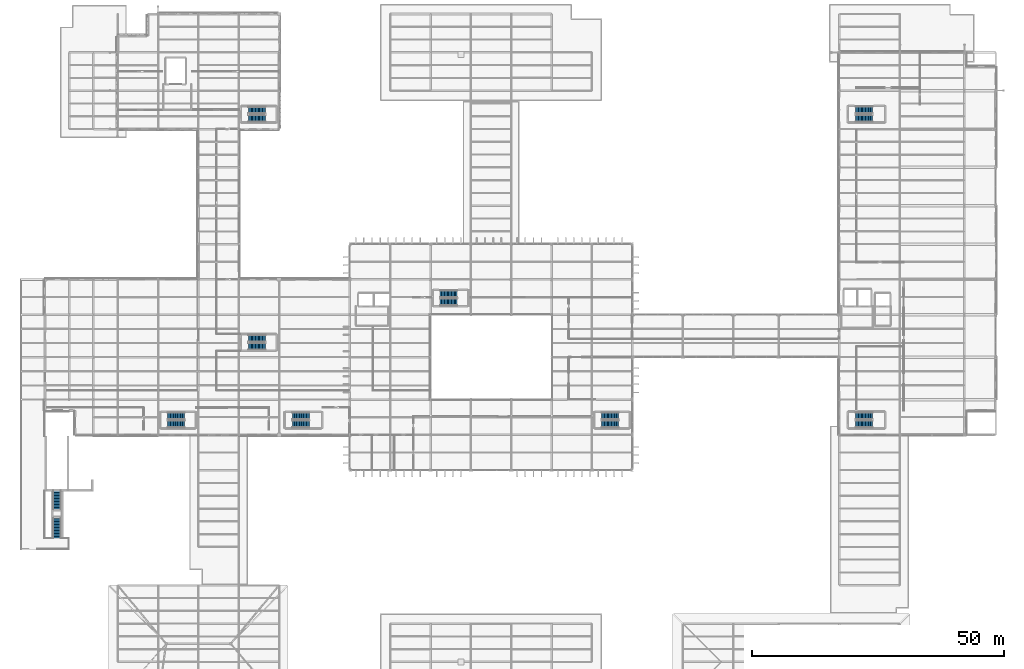
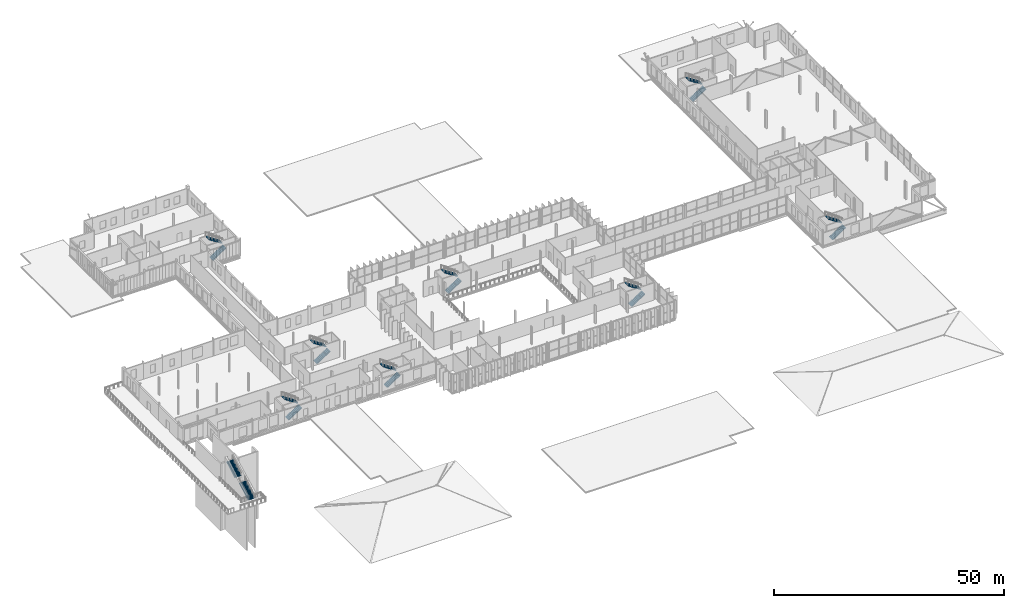
# One storey, part 105 of 120: 18 stair flights, 9 elements without a shape of their own.
"""IFC4 building model written with IfcOpenShell, lengths in metres."""

from ifc_helpers import new_model, si_unit, direction, frame, origin, place, context, subcontext, project, spatial, polyline, outline, extrude, material, type_object, element, aggregate, save


model = new_model("IFC4")

# Units and contexts
model_context = context("Model", 3, precision=1e-05, world=origin(), true_north=direction((0.0, 1.0)))
body_context = subcontext(model_context, "Body", "Model", "MODEL_VIEW")
ifc_project = project(units=[si_unit("LENGTHUNIT", "METRE"), si_unit("AREAUNIT", "SQUARE_METRE"), si_unit("VOLUMEUNIT", "CUBIC_METRE"), si_unit("PLANEANGLEUNIT", "RADIAN"), si_unit("MASSUNIT", "GRAM", prefix="KILO")], contexts=[model_context])

# Site, building, storey
site_placement = place(None, origin())
site = spatial("IfcSite", under=ifc_project, at=site_placement, CompositionType="ELEMENT")
building_placement = place(site_placement, origin())
building = spatial("IfcBuilding", under=site, at=building_placement, Name="Vekula Escarpment Museum", CompositionType="ELEMENT")
storey_placement = place(building_placement, frame((0.0, 0.0, 13.199951171875)))
storey = spatial("IfcBuildingStorey", under=building, at=storey_placement, Name="L03", CompositionType="ELEMENT", Elevation=13.199951171875)

# Stair, stair flights
ifc_material_1 = material(Name="Precast concrete C40/50", Category="concrete")
stair_type_1 = type_object("IfcStairType", Name="STR-AMP-165", PredefinedType="STRAIGHT_RUN_STAIR", material=ifc_material_1)
stair_1_placement = place(storey_placement, origin())
stair_1 = element("IfcStair", 1, at=stair_1_placement, inside=storey, type_object=stair_type_1, Name="South Escarpment Plinth Stair Tier 3 ST-AMP-S3", PredefinedType="STRAIGHT_RUN_STAIR")
ifc_material_2 = material(Name="Precast concrete C40/50", Category="concrete")
stair_flight_type_1 = type_object("IfcStairFlightType", Name="FLT-AMP-165", PredefinedType="STRAIGHT", material=ifc_material_2)
stair_flight_1_placement = place(storey_placement, frame((12.0, 32.14990234375, 0.0), z_axis=(0.0, 0.0, 1.0), x_axis=(0.0, 1.0, 0.0)))
stair_flight_1 = element("IfcStairFlight", 2, at=stair_flight_1_placement, type_object=stair_flight_type_1, Name="ST-AMP-S3 flight 1", NumberOfRisers=14, NumberOfTreads=13, PredefinedType="STRAIGHT", RiserHeight=0.177778, TreadLength=0.3, context=body_context, shape_type="SweptSolid", body=[
    extrude(outline(polyline([(0.0, 0.0), (0.0, 0.177734375), (0.300048828125, 0.177734375), (0.300048828125, 0.35546875), (0.60009765625, 0.35546875), (0.60009765625, 0.533447265625), (0.89990234375, 0.533447265625), (0.89990234375, 0.711181640625), (1.199951171875, 0.711181640625), (1.199951171875, 0.888916015625), (1.5, 0.888916015625), (1.5, 1.066650390625), (1.800048828125, 1.066650390625), (1.800048828125, 1.244384765625), (2.10009765625, 1.244384765625), (2.10009765625, 1.422119140625), (2.39990234375, 1.422119140625), (2.39990234375, 1.60009765625), (2.699951171875, 1.60009765625), (2.699951171875, 1.77783203125), (3.0, 1.77783203125), (3.0, 1.95556640625), (3.300048828125, 1.95556640625), (3.300048828125, 2.13330078125), (3.60009765625, 2.13330078125), (3.60009765625, 2.31103515625), (3.89990234375, 2.31103515625), (3.89990234375, 2.489013671875), (3.89990234375, 2.10205078125), (0.35302734375, 0.0), (0.0, 0.0)])), frame((0.0, 0.824951171875, 0.0), z_axis=(0.0, -1.0, 0.0), x_axis=(1.0, 0.0, 0.0)), (0.0, 0.0, 1.0), 1.64990234375),
])
stair_flight_2_placement = place(storey_placement, frame((12.0, 37.89990234375, 2.489013671875), z_axis=(0.0, 0.0, 1.0), x_axis=(0.0, 1.0, 0.0)))
stair_flight_2 = element("IfcStairFlight", 3, at=stair_flight_2_placement, type_object=stair_flight_type_1, Name="ST-AMP-S3 flight 2", NumberOfRisers=13, NumberOfTreads=12, PredefinedType="STRAIGHT", RiserHeight=0.177778, TreadLength=0.3, context=body_context, shape_type="SweptSolid", body=[
    extrude(outline(polyline([(0.0, 0.0), (0.0, 0.177734375), (0.300048828125, 0.177734375), (0.300048828125, 0.35546875), (0.60009765625, 0.35546875), (0.60009765625, 0.533447265625), (0.89990234375, 0.533447265625), (0.89990234375, 0.711181640625), (1.199951171875, 0.711181640625), (1.199951171875, 0.888916015625), (1.5, 0.888916015625), (1.5, 1.066650390625), (1.800048828125, 1.066650390625), (1.800048828125, 1.244384765625), (2.10009765625, 1.244384765625), (2.10009765625, 1.422119140625), (2.39990234375, 1.422119140625), (2.39990234375, 1.60009765625), (2.699951171875, 1.60009765625), (2.699951171875, 1.77783203125), (3.0, 1.77783203125), (3.0, 1.95556640625), (3.300048828125, 1.95556640625), (3.300048828125, 2.13330078125), (3.60009765625, 2.13330078125), (3.60009765625, 2.31103515625), (3.60009765625, 1.924072265625), (0.35302734375, 0.0), (0.0, 0.0)])), frame((0.0, 0.824951171875, 0.0), z_axis=(0.0, -1.0, 0.0), x_axis=(1.0, 0.0, 0.0)), (0.0, 0.0, 1.0), 1.64990234375),
])
aggregate(stair_1, [stair_flight_1, stair_flight_2])

ifc_material_3 = material(Name="Concrete C35/45", Category="concrete")
stair_type_2 = type_object("IfcStairType", Name="STR-TYPE-142", PredefinedType="HALF_TURN_STAIR", material=ifc_material_3)
stair_2_placement = place(storey_placement, origin())
stair_2 = element("IfcStair", 4, at=stair_2_placement, inside=storey, type_object=stair_type_2, Name="L03 Central West Exit Stair ST-01", PredefinedType="HALF_TURN_STAIR")
ifc_material_4 = material(Name="Concrete C35/45", Category="concrete")
stair_flight_type_2 = type_object("IfcStairFlightType", Name="FLT-TYPE-142", PredefinedType="STRAIGHT", material=ifc_material_4)
stair_flight_3_placement = place(storey_placement, frame((58.6201171875, 54.7099609375, 0.0), z_axis=(0.0, 0.0, 1.0), x_axis=(1.0, 0.0, 0.0)))
stair_flight_3 = element("IfcStairFlight", 5, at=stair_flight_3_placement, type_object=stair_flight_type_2, Name="ST-01 flight 1", NumberOfRisers=13, NumberOfTreads=12, PredefinedType="STRAIGHT", RiserHeight=0.184615385, TreadLength=0.28, context=body_context, shape_type="SweptSolid", body=[
    extrude(outline(polyline([(0.0, 0.0), (0.0, 0.1845703125), (0.280029296875, 0.1845703125), (0.280029296875, 0.369140625), (0.56005859375, 0.369140625), (0.56005859375, 0.553955078125), (0.840087890625, 0.553955078125), (0.840087890625, 0.738525390625), (1.1201171875, 0.738525390625), (1.1201171875, 0.923095703125), (1.39990234375, 0.923095703125), (1.39990234375, 1.107666015625), (1.679931640625, 1.107666015625), (1.679931640625, 1.292236328125), (1.9599609375, 1.292236328125), (1.9599609375, 1.476806640625), (2.239990234375, 1.476806640625), (2.239990234375, 1.66162109375), (2.52001953125, 1.66162109375), (2.52001953125, 1.84619140625), (2.800048828125, 1.84619140625), (2.800048828125, 2.03076171875), (3.080078125, 2.03076171875), (3.080078125, 2.21533203125), (3.360107421875, 2.21533203125), (3.360107421875, 2.39990234375), (3.360107421875, 2.035888671875), (0.272216796875, 0.0), (0.0, 0.0)])), frame((0.0, 0.7099609375, 0.0), z_axis=(0.0, -1.0, 0.0), x_axis=(1.0, 0.0, 0.0)), (0.0, 0.0, 1.0), 1.419921875),
])
stair_flight_4_placement = place(storey_placement, frame((61.97998046875, 56.330078125, 2.400146484375), z_axis=(0.0, 0.0, 1.0), x_axis=(-1.0, 0.0, 0.0)))
stair_flight_4 = element("IfcStairFlight", 6, at=stair_flight_4_placement, type_object=stair_flight_type_2, Name="ST-01 flight 2", NumberOfRisers=13, NumberOfTreads=12, PredefinedType="STRAIGHT", RiserHeight=0.184615385, TreadLength=0.28, context=body_context, shape_type="SweptSolid", body=[
    extrude(outline(polyline([(0.0, 0.0), (0.0, 0.1845703125), (0.280029296875, 0.1845703125), (0.280029296875, 0.369140625), (0.56005859375, 0.369140625), (0.56005859375, 0.553955078125), (0.840087890625, 0.553955078125), (0.840087890625, 0.738525390625), (1.1201171875, 0.738525390625), (1.1201171875, 0.923095703125), (1.39990234375, 0.923095703125), (1.39990234375, 1.107666015625), (1.679931640625, 1.107666015625), (1.679931640625, 1.292236328125), (1.9599609375, 1.292236328125), (1.9599609375, 1.476806640625), (2.239990234375, 1.476806640625), (2.239990234375, 1.66162109375), (2.52001953125, 1.66162109375), (2.52001953125, 1.84619140625), (2.800048828125, 1.84619140625), (2.800048828125, 2.03076171875), (3.080078125, 2.03076171875), (3.080078125, 2.21533203125), (3.360107421875, 2.21533203125), (3.360107421875, 2.39990234375), (3.360107421875, 2.035888671875), (0.272216796875, 0.0), (0.0, 0.0)])), frame((0.0, 0.7099609375, 0.0), z_axis=(0.0, -1.0, 0.0), x_axis=(1.0, 0.0, 0.0)), (0.0, 0.0, 1.0), 1.419921875),
])
aggregate(stair_2, [stair_flight_3, stair_flight_4])

stair_3_placement = place(storey_placement, origin())
stair_3 = element("IfcStair", 7, at=stair_3_placement, inside=storey, type_object=stair_type_2, Name="L03 Archive and Lab Exit Stair ST-03", PredefinedType="HALF_TURN_STAIR")
stair_flight_5_placement = place(storey_placement, frame((49.919921875, 115.31005859375, 0.0), z_axis=(0.0, 0.0, 1.0), x_axis=(1.0, 0.0, 0.0)))
stair_flight_5 = element("IfcStairFlight", 8, at=stair_flight_5_placement, type_object=stair_flight_type_2, Name="ST-03 flight 1", NumberOfRisers=13, NumberOfTreads=12, PredefinedType="STRAIGHT", RiserHeight=0.184615385, TreadLength=0.28, context=body_context, shape_type="SweptSolid", body=[
    extrude(outline(polyline([(0.0, 0.0), (0.0, 0.1845703125), (0.280029296875, 0.1845703125), (0.280029296875, 0.369140625), (0.56005859375, 0.369140625), (0.56005859375, 0.553955078125), (0.840087890625, 0.553955078125), (0.840087890625, 0.738525390625), (1.1201171875, 0.738525390625), (1.1201171875, 0.923095703125), (1.39990234375, 0.923095703125), (1.39990234375, 1.107666015625), (1.679931640625, 1.107666015625), (1.679931640625, 1.292236328125), (1.9599609375, 1.292236328125), (1.9599609375, 1.476806640625), (2.239990234375, 1.476806640625), (2.239990234375, 1.66162109375), (2.52001953125, 1.66162109375), (2.52001953125, 1.84619140625), (2.800048828125, 1.84619140625), (2.800048828125, 2.03076171875), (3.080078125, 2.03076171875), (3.080078125, 2.21533203125), (3.360107421875, 2.21533203125), (3.360107421875, 2.39990234375), (3.360107421875, 2.035888671875), (0.272216796875, 0.0), (0.0, 0.0)])), frame((0.0, 0.7099609375, 0.0), z_axis=(0.0, -1.0, 0.0), x_axis=(1.0, 0.0, 0.0)), (0.0, 0.0, 1.0), 1.419921875),
])
stair_flight_6_placement = place(storey_placement, frame((53.280029296875, 116.929931640625, 2.400146484375), z_axis=(0.0, 0.0, 1.0), x_axis=(-1.0, 0.0, 0.0)))
stair_flight_6 = element("IfcStairFlight", 9, at=stair_flight_6_placement, type_object=stair_flight_type_2, Name="ST-03 flight 2", NumberOfRisers=13, NumberOfTreads=12, PredefinedType="STRAIGHT", RiserHeight=0.184615385, TreadLength=0.28, context=body_context, shape_type="SweptSolid", body=[
    extrude(outline(polyline([(0.0, 0.0), (0.0, 0.1845703125), (0.280029296875, 0.1845703125), (0.280029296875, 0.369140625), (0.56005859375, 0.369140625), (0.56005859375, 0.553955078125), (0.840087890625, 0.553955078125), (0.840087890625, 0.738525390625), (1.1201171875, 0.738525390625), (1.1201171875, 0.923095703125), (1.39990234375, 0.923095703125), (1.39990234375, 1.107666015625), (1.679931640625, 1.107666015625), (1.679931640625, 1.292236328125), (1.9599609375, 1.292236328125), (1.9599609375, 1.476806640625), (2.239990234375, 1.476806640625), (2.239990234375, 1.66162109375), (2.52001953125, 1.66162109375), (2.52001953125, 1.84619140625), (2.800048828125, 1.84619140625), (2.800048828125, 2.03076171875), (3.080078125, 2.03076171875), (3.080078125, 2.21533203125), (3.360107421875, 2.21533203125), (3.360107421875, 2.39990234375), (3.360107421875, 2.035888671875), (0.272216796875, 0.0), (0.0, 0.0)])), frame((0.0, 0.7099609375, 0.0), z_axis=(0.0, -1.0, 0.0), x_axis=(1.0, 0.0, 0.0)), (0.0, 0.0, 1.0), 1.419921875),
])
aggregate(stair_3, [stair_flight_5, stair_flight_6])

stair_4_placement = place(storey_placement, origin())
stair_4 = element("IfcStair", 10, at=stair_4_placement, inside=storey, type_object=stair_type_2, Name="L03 Plinth West Exit Stair ST-04", PredefinedType="HALF_TURN_STAIR")
stair_flight_7_placement = place(storey_placement, frame((33.919921875, 54.7099609375, 0.0), z_axis=(0.0, 0.0, 1.0), x_axis=(1.0, 0.0, 0.0)))
stair_flight_7 = element("IfcStairFlight", 11, at=stair_flight_7_placement, type_object=stair_flight_type_2, Name="ST-04 flight 1", NumberOfRisers=13, NumberOfTreads=12, PredefinedType="STRAIGHT", RiserHeight=0.184615385, TreadLength=0.28, context=body_context, shape_type="SweptSolid", body=[
    extrude(outline(polyline([(0.0, 0.0), (0.0, 0.1845703125), (0.280029296875, 0.1845703125), (0.280029296875, 0.369140625), (0.56005859375, 0.369140625), (0.56005859375, 0.553955078125), (0.840087890625, 0.553955078125), (0.840087890625, 0.738525390625), (1.1201171875, 0.738525390625), (1.1201171875, 0.923095703125), (1.39990234375, 0.923095703125), (1.39990234375, 1.107666015625), (1.679931640625, 1.107666015625), (1.679931640625, 1.292236328125), (1.9599609375, 1.292236328125), (1.9599609375, 1.476806640625), (2.239990234375, 1.476806640625), (2.239990234375, 1.66162109375), (2.52001953125, 1.66162109375), (2.52001953125, 1.84619140625), (2.800048828125, 1.84619140625), (2.800048828125, 2.03076171875), (3.080078125, 2.03076171875), (3.080078125, 2.21533203125), (3.360107421875, 2.21533203125), (3.360107421875, 2.39990234375), (3.360107421875, 2.035888671875), (0.272216796875, 0.0), (0.0, 0.0)])), frame((0.0, 0.7099609375, 0.0), z_axis=(0.0, -1.0, 0.0), x_axis=(1.0, 0.0, 0.0)), (0.0, 0.0, 1.0), 1.419921875),
])
stair_flight_8_placement = place(storey_placement, frame((37.280029296875, 56.330078125, 2.400146484375), z_axis=(0.0, 0.0, 1.0), x_axis=(-1.0, 0.0, 0.0)))
stair_flight_8 = element("IfcStairFlight", 12, at=stair_flight_8_placement, type_object=stair_flight_type_2, Name="ST-04 flight 2", NumberOfRisers=13, NumberOfTreads=12, PredefinedType="STRAIGHT", RiserHeight=0.184615385, TreadLength=0.28, context=body_context, shape_type="SweptSolid", body=[
    extrude(outline(polyline([(0.0, 0.0), (0.0, 0.1845703125), (0.280029296875, 0.1845703125), (0.280029296875, 0.369140625), (0.56005859375, 0.369140625), (0.56005859375, 0.553955078125), (0.840087890625, 0.553955078125), (0.840087890625, 0.738525390625), (1.1201171875, 0.738525390625), (1.1201171875, 0.923095703125), (1.39990234375, 0.923095703125), (1.39990234375, 1.107666015625), (1.679931640625, 1.107666015625), (1.679931640625, 1.292236328125), (1.9599609375, 1.292236328125), (1.9599609375, 1.476806640625), (2.239990234375, 1.476806640625), (2.239990234375, 1.66162109375), (2.52001953125, 1.66162109375), (2.52001953125, 1.84619140625), (2.800048828125, 1.84619140625), (2.800048828125, 2.03076171875), (3.080078125, 2.03076171875), (3.080078125, 2.21533203125), (3.360107421875, 2.21533203125), (3.360107421875, 2.39990234375), (3.360107421875, 2.035888671875), (0.272216796875, 0.0), (0.0, 0.0)])), frame((0.0, 0.7099609375, 0.0), z_axis=(0.0, -1.0, 0.0), x_axis=(1.0, 0.0, 0.0)), (0.0, 0.0, 1.0), 1.419921875),
])
aggregate(stair_4, [stair_flight_7, stair_flight_8])

stair_5_placement = place(storey_placement, origin())
stair_5 = element("IfcStair", 13, at=stair_5_placement, inside=storey, type_object=stair_type_2, Name="L03 Great Hall East Exit Stair ST-08", PredefinedType="HALF_TURN_STAIR")
stair_flight_9_placement = place(storey_placement, frame((119.919921875, 54.7099609375, 0.0), z_axis=(0.0, 0.0, 1.0), x_axis=(1.0, 0.0, 0.0)))
stair_flight_9 = element("IfcStairFlight", 14, at=stair_flight_9_placement, type_object=stair_flight_type_2, Name="ST-08 flight 1", NumberOfRisers=13, NumberOfTreads=12, PredefinedType="STRAIGHT", RiserHeight=0.184615385, TreadLength=0.28, context=body_context, shape_type="SweptSolid", body=[
    extrude(outline(polyline([(0.0, 0.0), (0.0, 0.1845703125), (0.280029296875, 0.1845703125), (0.280029296875, 0.369140625), (0.56005859375, 0.369140625), (0.56005859375, 0.553955078125), (0.840087890625, 0.553955078125), (0.840087890625, 0.738525390625), (1.1201171875, 0.738525390625), (1.1201171875, 0.923095703125), (1.39990234375, 0.923095703125), (1.39990234375, 1.107666015625), (1.679931640625, 1.107666015625), (1.679931640625, 1.292236328125), (1.9599609375, 1.292236328125), (1.9599609375, 1.476806640625), (2.239990234375, 1.476806640625), (2.239990234375, 1.66162109375), (2.52001953125, 1.66162109375), (2.52001953125, 1.84619140625), (2.800048828125, 1.84619140625), (2.800048828125, 2.03076171875), (3.080078125, 2.03076171875), (3.080078125, 2.21533203125), (3.360107421875, 2.21533203125), (3.360107421875, 2.39990234375), (3.360107421875, 2.035888671875), (0.272216796875, 0.0), (0.0, 0.0)])), frame((0.0, 0.7099609375, 0.0), z_axis=(0.0, -1.0, 0.0), x_axis=(1.0, 0.0, 0.0)), (0.0, 0.0, 1.0), 1.419921875),
])
stair_flight_10_placement = place(storey_placement, frame((123.280029296875, 56.330078125, 2.400146484375), z_axis=(0.0, 0.0, 1.0), x_axis=(-1.0, 0.0, 0.0)))
stair_flight_10 = element("IfcStairFlight", 15, at=stair_flight_10_placement, type_object=stair_flight_type_2, Name="ST-08 flight 2", NumberOfRisers=13, NumberOfTreads=12, PredefinedType="STRAIGHT", RiserHeight=0.184615385, TreadLength=0.28, context=body_context, shape_type="SweptSolid", body=[
    extrude(outline(polyline([(0.0, 0.0), (0.0, 0.1845703125), (0.280029296875, 0.1845703125), (0.280029296875, 0.369140625), (0.56005859375, 0.369140625), (0.56005859375, 0.553955078125), (0.840087890625, 0.553955078125), (0.840087890625, 0.738525390625), (1.1201171875, 0.738525390625), (1.1201171875, 0.923095703125), (1.39990234375, 0.923095703125), (1.39990234375, 1.107666015625), (1.679931640625, 1.107666015625), (1.679931640625, 1.292236328125), (1.9599609375, 1.292236328125), (1.9599609375, 1.476806640625), (2.239990234375, 1.476806640625), (2.239990234375, 1.66162109375), (2.52001953125, 1.66162109375), (2.52001953125, 1.84619140625), (2.800048828125, 1.84619140625), (2.800048828125, 2.03076171875), (3.080078125, 2.03076171875), (3.080078125, 2.21533203125), (3.360107421875, 2.21533203125), (3.360107421875, 2.39990234375), (3.360107421875, 2.035888671875), (0.272216796875, 0.0), (0.0, 0.0)])), frame((0.0, 0.7099609375, 0.0), z_axis=(0.0, -1.0, 0.0), x_axis=(1.0, 0.0, 0.0)), (0.0, 0.0, 1.0), 1.419921875),
])
aggregate(stair_5, [stair_flight_9, stair_flight_10])

stair_6_placement = place(storey_placement, origin())
stair_6 = element("IfcStair", 16, at=stair_6_placement, inside=storey, type_object=stair_type_2, Name="L03 Great Hall North Exit Stair ST-09", PredefinedType="HALF_TURN_STAIR")
stair_flight_11_placement = place(storey_placement, frame((87.919921875, 78.909912109375, 0.0), z_axis=(0.0, 0.0, 1.0), x_axis=(1.0, 0.0, 0.0)))
stair_flight_11 = element("IfcStairFlight", 17, at=stair_flight_11_placement, type_object=stair_flight_type_2, Name="ST-09 flight 1", NumberOfRisers=13, NumberOfTreads=12, PredefinedType="STRAIGHT", RiserHeight=0.184615385, TreadLength=0.28, context=body_context, shape_type="SweptSolid", body=[
    extrude(outline(polyline([(0.0, 0.0), (0.0, 0.1845703125), (0.280029296875, 0.1845703125), (0.280029296875, 0.369140625), (0.56005859375, 0.369140625), (0.56005859375, 0.553955078125), (0.840087890625, 0.553955078125), (0.840087890625, 0.738525390625), (1.1201171875, 0.738525390625), (1.1201171875, 0.923095703125), (1.39990234375, 0.923095703125), (1.39990234375, 1.107666015625), (1.679931640625, 1.107666015625), (1.679931640625, 1.292236328125), (1.9599609375, 1.292236328125), (1.9599609375, 1.476806640625), (2.239990234375, 1.476806640625), (2.239990234375, 1.66162109375), (2.52001953125, 1.66162109375), (2.52001953125, 1.84619140625), (2.800048828125, 1.84619140625), (2.800048828125, 2.03076171875), (3.080078125, 2.03076171875), (3.080078125, 2.21533203125), (3.360107421875, 2.21533203125), (3.360107421875, 2.39990234375), (3.360107421875, 2.035888671875), (0.272216796875, 0.0), (0.0, 0.0)])), frame((0.0, 0.7099609375, 0.0), z_axis=(0.0, -1.0, 0.0), x_axis=(1.0, 0.0, 0.0)), (0.0, 0.0, 1.0), 1.419921875),
])
stair_flight_12_placement = place(storey_placement, frame((91.280029296875, 80.530029296875, 2.400146484375), z_axis=(0.0, 0.0, 1.0), x_axis=(-1.0, 0.0, 0.0)))
stair_flight_12 = element("IfcStairFlight", 18, at=stair_flight_12_placement, type_object=stair_flight_type_2, Name="ST-09 flight 2", NumberOfRisers=13, NumberOfTreads=12, PredefinedType="STRAIGHT", RiserHeight=0.184615385, TreadLength=0.28, context=body_context, shape_type="SweptSolid", body=[
    extrude(outline(polyline([(0.0, 0.0), (0.0, 0.1845703125), (0.280029296875, 0.1845703125), (0.280029296875, 0.369140625), (0.56005859375, 0.369140625), (0.56005859375, 0.553955078125), (0.840087890625, 0.553955078125), (0.840087890625, 0.738525390625), (1.1201171875, 0.738525390625), (1.1201171875, 0.923095703125), (1.39990234375, 0.923095703125), (1.39990234375, 1.107666015625), (1.679931640625, 1.107666015625), (1.679931640625, 1.292236328125), (1.9599609375, 1.292236328125), (1.9599609375, 1.476806640625), (2.239990234375, 1.476806640625), (2.239990234375, 1.66162109375), (2.52001953125, 1.66162109375), (2.52001953125, 1.84619140625), (2.800048828125, 1.84619140625), (2.800048828125, 2.03076171875), (3.080078125, 2.03076171875), (3.080078125, 2.21533203125), (3.360107421875, 2.21533203125), (3.360107421875, 2.39990234375), (3.360107421875, 2.035888671875), (0.272216796875, 0.0), (0.0, 0.0)])), frame((0.0, 0.7099609375, 0.0), z_axis=(0.0, -1.0, 0.0), x_axis=(1.0, 0.0, 0.0)), (0.0, 0.0, 1.0), 1.419921875),
])
aggregate(stair_6, [stair_flight_11, stair_flight_12])

stair_7_placement = place(storey_placement, origin())
stair_7 = element("IfcStair", 19, at=stair_7_placement, inside=storey, type_object=stair_type_2, Name="L03 Plinth Mid Exit Stair ST-10", PredefinedType="HALF_TURN_STAIR")
stair_flight_13_placement = place(storey_placement, frame((49.919921875, 70.110107421875, 0.0), z_axis=(0.0, 0.0, 1.0), x_axis=(1.0, 0.0, 0.0)))
stair_flight_13 = element("IfcStairFlight", 20, at=stair_flight_13_placement, type_object=stair_flight_type_2, Name="ST-10 flight 1", NumberOfRisers=13, NumberOfTreads=12, PredefinedType="STRAIGHT", RiserHeight=0.184615385, TreadLength=0.28, context=body_context, shape_type="SweptSolid", body=[
    extrude(outline(polyline([(0.0, 0.0), (0.0, 0.1845703125), (0.280029296875, 0.1845703125), (0.280029296875, 0.369140625), (0.56005859375, 0.369140625), (0.56005859375, 0.553955078125), (0.840087890625, 0.553955078125), (0.840087890625, 0.738525390625), (1.1201171875, 0.738525390625), (1.1201171875, 0.923095703125), (1.39990234375, 0.923095703125), (1.39990234375, 1.107666015625), (1.679931640625, 1.107666015625), (1.679931640625, 1.292236328125), (1.9599609375, 1.292236328125), (1.9599609375, 1.476806640625), (2.239990234375, 1.476806640625), (2.239990234375, 1.66162109375), (2.52001953125, 1.66162109375), (2.52001953125, 1.84619140625), (2.800048828125, 1.84619140625), (2.800048828125, 2.03076171875), (3.080078125, 2.03076171875), (3.080078125, 2.21533203125), (3.360107421875, 2.21533203125), (3.360107421875, 2.39990234375), (3.360107421875, 2.035888671875), (0.272216796875, 0.0), (0.0, 0.0)])), frame((0.0, 0.7099609375, 0.0), z_axis=(0.0, -1.0, 0.0), x_axis=(1.0, 0.0, 0.0)), (0.0, 0.0, 1.0), 1.419921875),
])
stair_flight_14_placement = place(storey_placement, frame((53.280029296875, 71.72998046875, 2.400146484375), z_axis=(0.0, 0.0, 1.0), x_axis=(-1.0, 0.0, 0.0)))
stair_flight_14 = element("IfcStairFlight", 21, at=stair_flight_14_placement, type_object=stair_flight_type_2, Name="ST-10 flight 2", NumberOfRisers=13, NumberOfTreads=12, PredefinedType="STRAIGHT", RiserHeight=0.184615385, TreadLength=0.28, context=body_context, shape_type="SweptSolid", body=[
    extrude(outline(polyline([(0.0, 0.0), (0.0, 0.1845703125), (0.280029296875, 0.1845703125), (0.280029296875, 0.369140625), (0.56005859375, 0.369140625), (0.56005859375, 0.553955078125), (0.840087890625, 0.553955078125), (0.840087890625, 0.738525390625), (1.1201171875, 0.738525390625), (1.1201171875, 0.923095703125), (1.39990234375, 0.923095703125), (1.39990234375, 1.107666015625), (1.679931640625, 1.107666015625), (1.679931640625, 1.292236328125), (1.9599609375, 1.292236328125), (1.9599609375, 1.476806640625), (2.239990234375, 1.476806640625), (2.239990234375, 1.66162109375), (2.52001953125, 1.66162109375), (2.52001953125, 1.84619140625), (2.800048828125, 1.84619140625), (2.800048828125, 2.03076171875), (3.080078125, 2.03076171875), (3.080078125, 2.21533203125), (3.360107421875, 2.21533203125), (3.360107421875, 2.39990234375), (3.360107421875, 2.035888671875), (0.272216796875, 0.0), (0.0, 0.0)])), frame((0.0, 0.7099609375, 0.0), z_axis=(0.0, -1.0, 0.0), x_axis=(1.0, 0.0, 0.0)), (0.0, 0.0, 1.0), 1.419921875),
])
aggregate(stair_7, [stair_flight_13, stair_flight_14])

ifc_material_5 = material(Name="Concrete C35/45", Category="concrete")
stair_type_3 = type_object("IfcStairType", Name="STR-TYPE-145", PredefinedType="HALF_TURN_STAIR", material=ifc_material_5)
stair_8_placement = place(storey_placement, origin())
stair_8 = element("IfcStair", 22, at=stair_8_placement, inside=storey, type_object=stair_type_3, Name="L03 East Gallery Exit Stair ST-02", PredefinedType="HALF_TURN_STAIR")
ifc_material_6 = material(Name="Concrete C35/45", Category="concrete")
stair_flight_type_3 = type_object("IfcStairFlightType", Name="FLT-TYPE-145", PredefinedType="STRAIGHT", material=ifc_material_6)
stair_flight_15_placement = place(storey_placement, frame((170.25, 54.72509765625, 0.0), z_axis=(0.0, 0.0, 1.0), x_axis=(1.0, 0.0, 0.0)))
stair_flight_15 = element("IfcStairFlight", 23, at=stair_flight_15_placement, type_object=stair_flight_type_3, Name="ST-02 flight 1", NumberOfRisers=13, NumberOfTreads=12, PredefinedType="STRAIGHT", RiserHeight=0.184615385, TreadLength=0.28, context=body_context, shape_type="SweptSolid", body=[
    extrude(outline(polyline([(0.0, 0.0), (0.0, 0.1845703125), (0.280029296875, 0.1845703125), (0.280029296875, 0.369140625), (0.56005859375, 0.369140625), (0.56005859375, 0.553955078125), (0.840087890625, 0.553955078125), (0.840087890625, 0.738525390625), (1.1201171875, 0.738525390625), (1.1201171875, 0.923095703125), (1.39990234375, 0.923095703125), (1.39990234375, 1.107666015625), (1.679931640625, 1.107666015625), (1.679931640625, 1.292236328125), (1.9599609375, 1.292236328125), (1.9599609375, 1.476806640625), (2.239990234375, 1.476806640625), (2.239990234375, 1.66162109375), (2.52001953125, 1.66162109375), (2.52001953125, 1.84619140625), (2.800048828125, 1.84619140625), (2.800048828125, 2.03076171875), (3.080078125, 2.03076171875), (3.080078125, 2.21533203125), (3.360107421875, 2.21533203125), (3.360107421875, 2.39990234375), (3.360107421875, 2.035888671875), (0.272216796875, 0.0), (0.0, 0.0)])), frame((0.0, 0.72509765625, 0.0), z_axis=(0.0, -1.0, 0.0), x_axis=(1.0, 0.0, 0.0)), (0.0, 0.0, 1.0), 1.449951171875),
])
stair_flight_16_placement = place(storey_placement, frame((173.610107421875, 56.375, 2.400146484375), z_axis=(0.0, 0.0, 1.0), x_axis=(-1.0, 0.0, 0.0)))
stair_flight_16 = element("IfcStairFlight", 24, at=stair_flight_16_placement, type_object=stair_flight_type_3, Name="ST-02 flight 2", NumberOfRisers=13, NumberOfTreads=12, PredefinedType="STRAIGHT", RiserHeight=0.184615385, TreadLength=0.28, context=body_context, shape_type="SweptSolid", body=[
    extrude(outline(polyline([(0.0, 0.0), (0.0, 0.1845703125), (0.280029296875, 0.1845703125), (0.280029296875, 0.369140625), (0.56005859375, 0.369140625), (0.56005859375, 0.553955078125), (0.840087890625, 0.553955078125), (0.840087890625, 0.738525390625), (1.1201171875, 0.738525390625), (1.1201171875, 0.923095703125), (1.39990234375, 0.923095703125), (1.39990234375, 1.107666015625), (1.679931640625, 1.107666015625), (1.679931640625, 1.292236328125), (1.9599609375, 1.292236328125), (1.9599609375, 1.476806640625), (2.239990234375, 1.476806640625), (2.239990234375, 1.66162109375), (2.52001953125, 1.66162109375), (2.52001953125, 1.84619140625), (2.800048828125, 1.84619140625), (2.800048828125, 2.03076171875), (3.080078125, 2.03076171875), (3.080078125, 2.21533203125), (3.360107421875, 2.21533203125), (3.360107421875, 2.39990234375), (3.360107421875, 2.035888671875), (0.272216796875, 0.0), (0.0, 0.0)])), frame((0.0, 0.72509765625, 0.0), z_axis=(0.0, -1.0, 0.0), x_axis=(1.0, 0.0, 0.0)), (0.0, 0.0, 1.0), 1.449951171875),
])
aggregate(stair_8, [stair_flight_15, stair_flight_16])

stair_9_placement = place(storey_placement, origin())
stair_9 = element("IfcStair", 25, at=stair_9_placement, inside=storey, type_object=stair_type_3, Name="L03 Northeast Cumba Exit Stair ST-05", PredefinedType="HALF_TURN_STAIR")
stair_flight_17_placement = place(storey_placement, frame((170.25, 115.324951171875, 0.0), z_axis=(0.0, 0.0, 1.0), x_axis=(1.0, 0.0, 0.0)))
stair_flight_17 = element("IfcStairFlight", 26, at=stair_flight_17_placement, type_object=stair_flight_type_3, Name="ST-05 flight 1", NumberOfRisers=13, NumberOfTreads=12, PredefinedType="STRAIGHT", RiserHeight=0.184615385, TreadLength=0.28, context=body_context, shape_type="SweptSolid", body=[
    extrude(outline(polyline([(0.0, 0.0), (0.0, 0.1845703125), (0.280029296875, 0.1845703125), (0.280029296875, 0.369140625), (0.56005859375, 0.369140625), (0.56005859375, 0.553955078125), (0.840087890625, 0.553955078125), (0.840087890625, 0.738525390625), (1.1201171875, 0.738525390625), (1.1201171875, 0.923095703125), (1.39990234375, 0.923095703125), (1.39990234375, 1.107666015625), (1.679931640625, 1.107666015625), (1.679931640625, 1.292236328125), (1.9599609375, 1.292236328125), (1.9599609375, 1.476806640625), (2.239990234375, 1.476806640625), (2.239990234375, 1.66162109375), (2.52001953125, 1.66162109375), (2.52001953125, 1.84619140625), (2.800048828125, 1.84619140625), (2.800048828125, 2.03076171875), (3.080078125, 2.03076171875), (3.080078125, 2.21533203125), (3.360107421875, 2.21533203125), (3.360107421875, 2.39990234375), (3.360107421875, 2.035888671875), (0.272216796875, 0.0), (0.0, 0.0)])), frame((0.0, 0.72509765625, 0.0), z_axis=(0.0, -1.0, 0.0), x_axis=(1.0, 0.0, 0.0)), (0.0, 0.0, 1.0), 1.449951171875),
])
stair_flight_18_placement = place(storey_placement, frame((173.610107421875, 116.97509765625, 2.400146484375), z_axis=(0.0, 0.0, 1.0), x_axis=(-1.0, 0.0, 0.0)))
stair_flight_18 = element("IfcStairFlight", 27, at=stair_flight_18_placement, type_object=stair_flight_type_3, Name="ST-05 flight 2", NumberOfRisers=13, NumberOfTreads=12, PredefinedType="STRAIGHT", RiserHeight=0.184615385, TreadLength=0.28, context=body_context, shape_type="SweptSolid", body=[
    extrude(outline(polyline([(0.0, 0.0), (0.0, 0.1845703125), (0.280029296875, 0.1845703125), (0.280029296875, 0.369140625), (0.56005859375, 0.369140625), (0.56005859375, 0.553955078125), (0.840087890625, 0.553955078125), (0.840087890625, 0.738525390625), (1.1201171875, 0.738525390625), (1.1201171875, 0.923095703125), (1.39990234375, 0.923095703125), (1.39990234375, 1.107666015625), (1.679931640625, 1.107666015625), (1.679931640625, 1.292236328125), (1.9599609375, 1.292236328125), (1.9599609375, 1.476806640625), (2.239990234375, 1.476806640625), (2.239990234375, 1.66162109375), (2.52001953125, 1.66162109375), (2.52001953125, 1.84619140625), (2.800048828125, 1.84619140625), (2.800048828125, 2.03076171875), (3.080078125, 2.03076171875), (3.080078125, 2.21533203125), (3.360107421875, 2.21533203125), (3.360107421875, 2.39990234375), (3.360107421875, 2.035888671875), (0.272216796875, 0.0), (0.0, 0.0)])), frame((0.0, 0.72509765625, 0.0), z_axis=(0.0, -1.0, 0.0), x_axis=(1.0, 0.0, 0.0)), (0.0, 0.0, 1.0), 1.449951171875),
])
aggregate(stair_9, [stair_flight_17, stair_flight_18])

save(model, "model.ifc")
